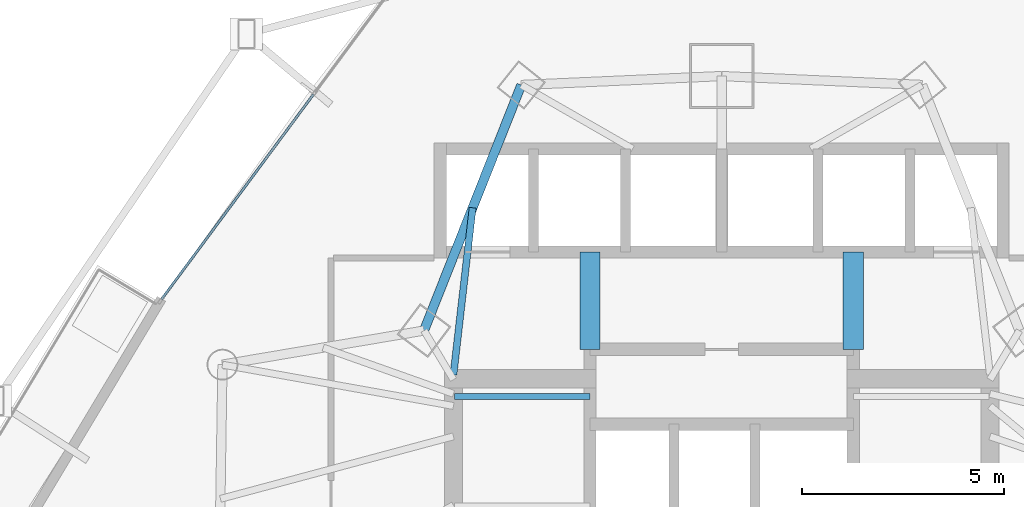
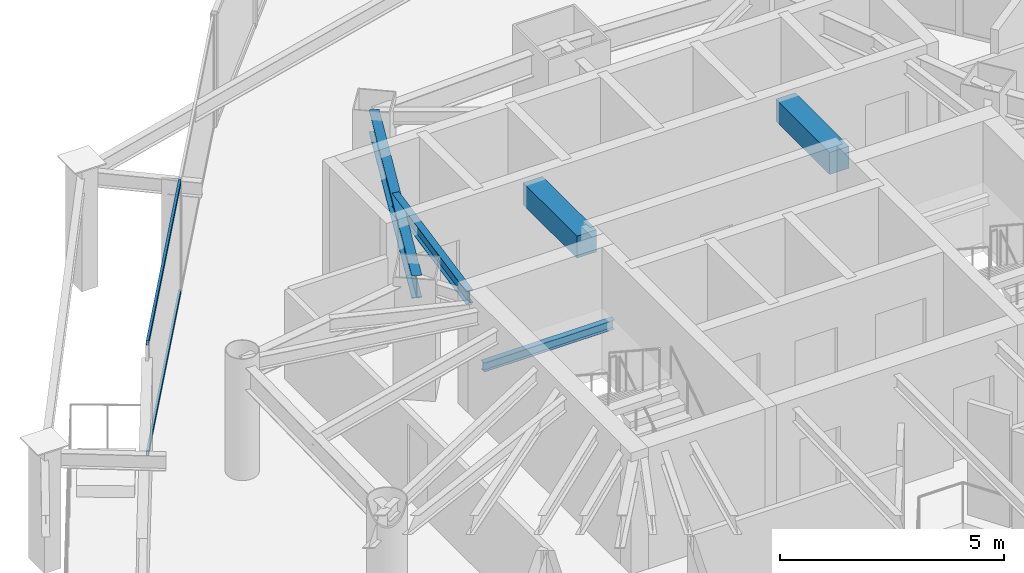
# One storey, part 24 of 38: 5 beams, 2 members, 1 element without a shape of its own.
"""IFC4 building model written with IfcOpenShell, lengths in metres."""

from ifc_helpers import new_model, si_unit, direction, frame, origin, origin_2d, place, context, subcontext, project, spatial, rectangle, hollow_rectangle, i_section, extrude, material, layer, layer_set, material_profile, profile_set, type_object, element, aggregate, save


model = new_model("IFC4")

# Units and contexts
model_context = context("Model", 3, precision=1e-05, world=origin(), true_north=direction((0.0, 1.0)))
body_context = subcontext(model_context, "Body", "Model", "MODEL_VIEW")
ifc_project = project(units=[si_unit("LENGTHUNIT", "METRE"), si_unit("AREAUNIT", "SQUARE_METRE"), si_unit("VOLUMEUNIT", "CUBIC_METRE"), si_unit("PLANEANGLEUNIT", "RADIAN"), si_unit("MASSUNIT", "GRAM", prefix="KILO")], contexts=[model_context])

# Site, building, storey
site_placement = place(None, origin())
site = spatial("IfcSite", under=ifc_project, at=site_placement, CompositionType="ELEMENT")
building_placement = place(site_placement, origin())
building = spatial("IfcBuilding", under=site, at=building_placement, Name="Orvanel Arch Residences", CompositionType="ELEMENT")
storey_placement = place(building_placement, frame((0.0, 0.0, 50.0)))
storey = spatial("IfcBuildingStorey", under=building, at=storey_placement, Name="L13", CompositionType="ELEMENT", Elevation=50.0)

# Beams
ifc_material_1 = material(Name="Structural steel AS/NZS 3679.1 Grade 300 (300 MPa)", Category="steel")
ifc_material_profile_1 = material_profile(ifc_material_1, i_section(OverallWidth=0.14599609375, OverallDepth=0.251953125, WebThickness=0.006103515625, FlangeThickness=0.008544921875, at=origin_2d()), Name="250UB31.4")
ifc_profile_set_1 = profile_set([ifc_material_profile_1], Name="Structural steel AS/NZS 3679.1 Grade 300 (300 MPa)")
beam_type_1 = type_object("IfcBeamType", Name="BJ-250UB", PredefinedType="JOIST", material=ifc_profile_set_1)
beam_1_placement = place(storey_placement, frame((26.39990234375, 33.47998046875, 1.323974609375), z_axis=(1.0, 0.0, 0.0), x_axis=(0.0, 1.0, 0.0)))
element("IfcBeam", 1, at=beam_1_placement, inside=storey, type_object=beam_type_1, Name="L13 ST-1 Half-Landing Support Beam 1.2", PredefinedType="JOIST", context=body_context, shape_type="SweptSolid", body=[
    extrude(i_section(OverallWidth=0.14599609375, OverallDepth=0.251953125, WebThickness=0.006103515625, FlangeThickness=0.008544921875, at=origin_2d()), origin(), (0.0, 0.0, 1.0), 3.35009765625),
])
ifc_material_profile_2 = material_profile(ifc_material_1, i_section(OverallWidth=0.1708984375, OverallDepth=0.35595703125, WebThickness=0.00732421875, FlangeThickness=0.011474609375, at=origin_2d()), Name="360UB50.7")
ifc_profile_set_2 = profile_set([ifc_material_profile_2], Name="Structural steel AS/NZS 3679.1 Grade 300 (300 MPa)")
beam_type_2 = type_object("IfcBeamType", Name="BJ-360UB", PredefinedType="JOIST", material=ifc_profile_set_2)
beam_2_placement = place(storey_placement, frame((26.375, 34.02001953125, 2.882080078125), z_axis=(0.114186670431, 0.993459311847, 0.0), x_axis=(-0.993459311847, 0.114186670431, 0.0)))
element("IfcBeam", 2, at=beam_2_placement, inside=storey, type_object=beam_type_2, Name="L13 NNW2 Wing Floor Joist", PredefinedType="JOIST", context=body_context, shape_type="SweptSolid", body=[
    extrude(i_section(OverallWidth=0.1708984375, OverallDepth=0.35595703125, WebThickness=0.00732421875, FlangeThickness=0.011474609375, at=origin_2d()), origin(), (0.0, 0.0, 1.0), 4.152099609375),
])
ifc_material_2 = material(Name="Concrete S65 (65 MPa)", Category="concrete")
ifc_material_profile_3 = material_profile(ifc_material_2, rectangle(XDim=0.5, YDim=0.60009765625, at=origin_2d()), Name="RC500x600")
ifc_profile_set_3 = profile_set([ifc_material_profile_3], Name="Concrete S65 (65 MPa)")
beam_type_3 = type_object("IfcBeamType", Name="CB-500x600", PredefinedType="LINTEL", material=ifc_profile_set_3)
for number, where, z_axis, x_axis, name in (
    (3, (29.75, 34.64990234375, 2.760009765625), (0.0, 1.0, 0.0), (-1.0, 0.0, 0.0), "L13 West Core Lobby Coupling Lintel Beam"),
    (4, (36.25, 34.64990234375, 2.760009765625), (0.0, 1.0, 0.0), (-1.0, 0.0, 0.0), "L13 East Core Lobby Coupling Lintel Beam"),
):
    element("IfcBeam", number, at=place(storey_placement, frame(where, z_axis=z_axis, x_axis=x_axis)), inside=storey, type_object=beam_type_3, Name=name, PredefinedType="LINTEL", context=body_context, shape_type="SweptSolid", body=[
        extrude(rectangle(XDim=0.5, YDim=0.60009765625, at=origin_2d()), origin(), (0.0, 0.0, 1.0), 2.400146484375),
    ])
ifc_material_profile_4 = material_profile(ifc_material_1, i_section(OverallWidth=0.22900390625, OverallDepth=0.612060546875, WebThickness=0.011962890625, FlangeThickness=0.01953125, at=origin_2d()), Name="610UB125")
ifc_profile_set_4 = profile_set([ifc_material_profile_4], Name="Structural steel AS/NZS 3679.1 Grade 300 (300 MPa)")
beam_type_4 = type_object("IfcBeamType", Name="SP-610UB", PredefinedType="SPANDREL", material=ifc_profile_set_4)
beam_3_placement = place(storey_placement, frame((28.050048828125, 41.177978515625, 2.75390625), z_axis=(-0.368233143579, -0.929733484376, 0.0), x_axis=(0.929733484376, -0.368233143579, 0.0)))
element("IfcBeam", 5, at=beam_3_placement, inside=storey, type_object=beam_type_4, Name="L13 Perimeter Spandrel Beam 18", PredefinedType="SPANDREL", context=body_context, shape_type="SweptSolid", body=[
    extrude(i_section(OverallWidth=0.22900390625, OverallDepth=0.612060546875, WebThickness=0.011962890625, FlangeThickness=0.01953125, at=origin_2d()), origin(), (0.0, 0.0, 1.0), 6.523193359375),
])

# Curtain wall, members
ifc_material_3 = material(Name="Bronze-anodised aluminium AA6063-T6", Category="aluminium")
ifc_layer = layer(ifc_material_3, 0.179931640625)
ifc_layer_set = layer_set([ifc_layer], Name="Bronze-anodised aluminium AA6063-T6")
curtain_wall_type = type_object("IfcCurtainWallType", Name="CW2-LOW-SYS", PredefinedType="NOTDEFINED", material=ifc_layer_set)
curtain_wall_placement = place(storey_placement, origin())
curtain_wall = element("IfcCurtainWall", 6, at=curtain_wall_placement, inside=storey, type_object=curtain_wall_type, Name="L13 CW2-LOW-SYS Unitised Curtain Wall", PredefinedType="NOTDEFINED")
ifc_material_profile_5 = material_profile(ifc_material_3, hollow_rectangle(XDim=0.06005859375, YDim=0.135009765625, WallThickness=0.00390625, at=origin_2d()), Name="ALU135x60x4")
ifc_profile_set_5 = profile_set([ifc_material_profile_5], Name="Bronze-anodised aluminium AA6063-T6")
member_type = type_object("IfcMemberType", Name="TRN-135x60", PredefinedType="USERDEFINED", material=ifc_profile_set_5)
member_1_placement = place(storey_placement, frame((22.918701171875, 40.947265625, 0.030029296875), z_axis=(-0.595490625908, -0.803362256056, 0.0), x_axis=(0.803362256056, -0.595490625908, 0.0)))
member_1 = element("IfcMember", 7, at=member_1_placement, type_object=member_type, Name="CW-S2 transom 2.1", ObjectType="TRANSOM", PredefinedType="USERDEFINED", context=body_context, shape_type="SweptSolid", body=[
    extrude(hollow_rectangle(XDim=0.06005859375, YDim=0.135009765625, WallThickness=0.00390625, at=origin_2d()), origin(), (0.0, 0.0, 1.0), 6.30224609375),
])
member_2_placement = place(storey_placement, frame((22.918701171875, 40.947265625, 3.030029296875), z_axis=(-0.595490625908, -0.803362256056, 0.0), x_axis=(0.803362256056, -0.595490625908, 0.0)))
member_2 = element("IfcMember", 8, at=member_2_placement, type_object=member_type, Name="CW-S2 transom 2.2", ObjectType="TRANSOM", PredefinedType="USERDEFINED", context=body_context, shape_type="SweptSolid", body=[
    extrude(hollow_rectangle(XDim=0.06005859375, YDim=0.135009765625, WallThickness=0.00390625, at=origin_2d()), origin(), (0.0, 0.0, 1.0), 6.30224609375),
])
aggregate(curtain_wall, [member_1, member_2])

save(model, "model.ifc")
